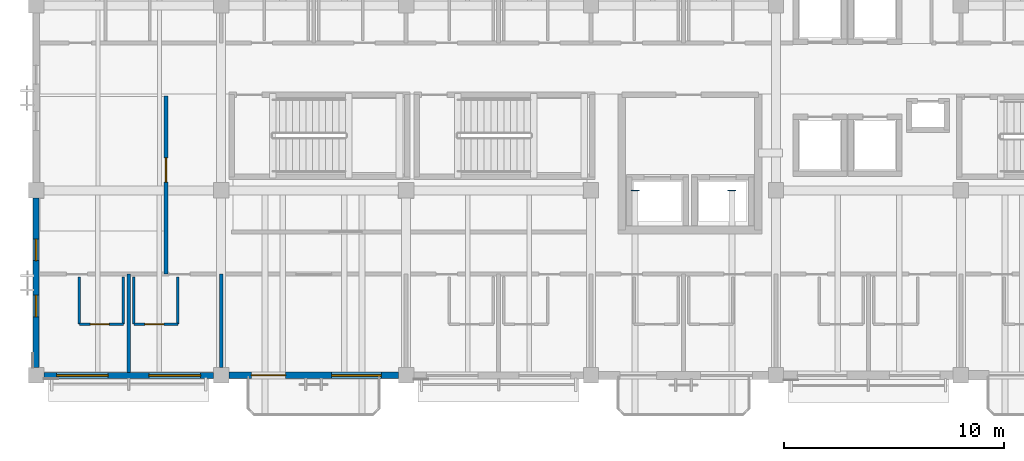
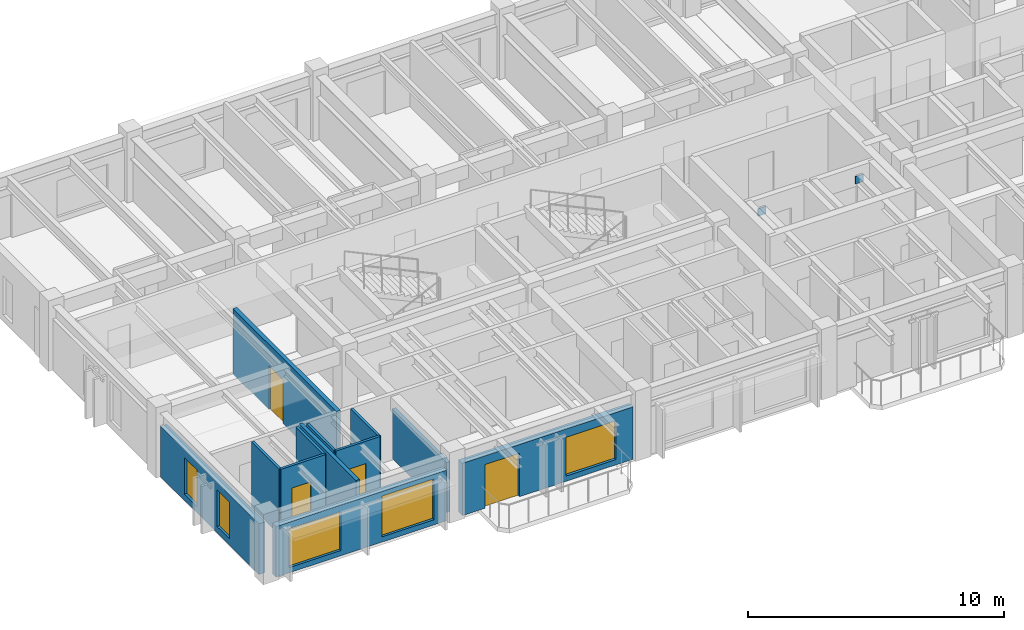
# One storey, part 5 of 18: 12 walls, 5 windows, 4 doors, 2 plates, 9 openings.
"""IFC4 building model written with IfcOpenShell, lengths in metres."""

from ifc_helpers import new_model, si_unit, direction, frame, frame_2d, origin, origin_2d, place, context, subcontext, project, spatial, rectangle, extrude, material, layer, layer_set, type_object, element, fill, save


model = new_model("IFC4")

# Units and contexts
model_context = context("Model", 3, precision=1e-05, world=origin(), true_north=direction((0.0, 1.0)))
body_context = subcontext(model_context, "Body", "Model", "MODEL_VIEW")
ifc_project = project(units=[si_unit("LENGTHUNIT", "METRE"), si_unit("AREAUNIT", "SQUARE_METRE"), si_unit("VOLUMEUNIT", "CUBIC_METRE"), si_unit("PLANEANGLEUNIT", "RADIAN"), si_unit("MASSUNIT", "GRAM", prefix="KILO")], contexts=[model_context])

# Site, building, storey
site_placement = place(None, origin())
site = spatial("IfcSite", under=ifc_project, at=site_placement, CompositionType="ELEMENT")
building_placement = place(site_placement, origin())
building = spatial("IfcBuilding", under=site, at=building_placement, Name="Cumbredor Promenade Congress Hotel", CompositionType="ELEMENT")
storey_placement = place(building_placement, frame((0.0, 0.0, 25.199951171875)))
storey = spatial("IfcBuildingStorey", under=building, at=storey_placement, Name="L07", CompositionType="ELEMENT", Elevation=25.199951171875)

# Plates
ifc_material_1 = material(Name="Steel ASTM A572 Grade 50", Category="steel")
ifc_layer_1 = layer(ifc_material_1, 0.028076171875, Name="Steel ASTM A572 Grade 50", Category="steel")
ifc_layer_set_1 = layer_set([ifc_layer_1], Name="Steel ASTM A572 Grade 50")
plate_type = type_object("IfcPlateType", Name="Space Frame Node Assembly ND-03", PredefinedType="USERDEFINED", material=ifc_layer_set_1)
for number, where, z_axis, x_axis, name in (
    (1, (27.199951171875, 100.800048828125, 2.70849609375), (0.0, 0.0, 1.0), (1.0, 0.0, 0.0), "L07 Outrigger Core Wall Embed Plate 050.1"),
    (2, (31.60009765625, 100.800048828125, 2.70849609375), (0.0, 0.0, 1.0), (1.0, 0.0, 0.0), "L07 Outrigger Core Wall Embed Plate 050.2"),
):
    element("IfcPlate", number, at=place(storey_placement, frame(where, z_axis=z_axis, x_axis=x_axis)), inside=storey, type_object=plate_type, Name=name, ObjectType="GUSSET PLATE", PredefinedType="USERDEFINED", context=body_context, shape_type="SweptSolid", body=[
        extrude(rectangle(XDim=0.360107421875, YDim=0.028076171875, at=origin_2d()), origin(), (0.0, 0.0, 1.0), 0.360107421875),
    ])

# Wall, opening, door
ifc_material_2 = material(Name="Moisture-resistant gypsum board on steel studs", Category="steel")
ifc_layer_2 = layer(ifc_material_2, 0.114990234375, Name="Moisture-resistant gypsum board on steel studs", Category="steel")
ifc_layer_set_2 = layer_set([ifc_layer_2], Name="Moisture-resistant gypsum board on steel studs")
wall_type_1 = type_object("IfcWallType", Name="WL-BATH-115", PredefinedType="PARTITIONING", material=ifc_layer_set_2)
wall_1_placement = place(storey_placement, frame((1.9599609375, 94.72998046875, 0.0), z_axis=(0.0, 0.0, 1.0), x_axis=(1.0, 0.0, 0.0)))
wall_1 = element("IfcWall", 3, at=wall_1_placement, inside=storey, type_object=wall_type_1, Name="L07 Interior Partition W-L07-BH-0771", PredefinedType="PARTITIONING", context=body_context, shape_type="SweptSolid", body=[
    extrude(rectangle(XDim=2.0, YDim=0.114990234375, at=frame_2d((1.0, 0.0))), origin(), (0.0, 0.0, 1.0), 3.1201171875),
])
opening_1_placement = place(wall_1_placement, frame((0.5, 0.0, 0.0)))
opening_1 = element("IfcOpeningElement", 4, at=opening_1_placement, cuts=wall_1, Name="Opening ID-01", PredefinedType="OPENING", context=body_context, shape_type="SweptSolid", body=[
    extrude(rectangle(XDim=0.860107421875, YDim=2.050048828125, at=frame_2d((0.43017578125, 1.02490234375))), frame((0.0, 0.0673828125, 0.0), z_axis=(0.0, -1.0, 0.0), x_axis=(1.0, 0.0, 0.0)), (0.0, 0.0, 1.0), 0.135009765625),
])
ifc_material_3 = material(Name="Kiln-dried tropical hardwood", Category="wood")
door_type_1 = type_object("IfcDoorType", Name="DR-BATH-860", OperationType="NOTDEFINED", PredefinedType="DOOR", material=ifc_material_3)
door_1_placement = place(opening_1_placement, origin())
door_1 = element("IfcDoor", 5, at=door_1_placement, inside=storey, type_object=door_type_1, Name="L07 Interior Door W-L07-BH-0771-01", OperationType="SINGLE_SWING_LEFT", OverallHeight=2.050048828125, OverallWidth=0.860107421875, PredefinedType="DOOR", context=body_context, shape_type="SweptSolid", body=[
    extrude(rectangle(XDim=0.860107421875, YDim=2.050048828125, at=frame_2d((0.43017578125, 1.02490234375))), frame((0.0, 0.02490234375, 0.0), z_axis=(0.0, -1.0, 0.0), x_axis=(1.0, 0.0, 0.0)), (0.0, 0.0, 1.0), 0.050048828125),
])
fill(opening_1, door_1)

# Walls
for number, where, z_axis, x_axis, name in (
    (6, (1.9599609375, 94.72998046875, 0.0), (0.0, 0.0, 1.0), (0.0, 1.0, 0.0), "L07 Interior Partition W-L07-BV1-0771"),
    (7, (3.9599609375, 94.72998046875, 0.0), (0.0, 0.0, 1.0), (0.0, 1.0, 0.0), "L07 Interior Partition W-L07-BV2-0771"),
):
    element("IfcWall", number, at=place(storey_placement, frame(where, z_axis=z_axis, x_axis=x_axis)), inside=storey, type_object=wall_type_1, Name=name, PredefinedType="PARTITIONING", context=body_context, shape_type="SweptSolid", body=[
        extrude(rectangle(XDim=2.14990234375, YDim=0.114990234375, at=frame_2d((1.074951171875, 0.0))), origin(), (0.0, 0.0, 1.0), 3.1201171875),
    ])

# Wall, opening, door
wall_2_placement = place(storey_placement, frame((4.43994140625, 94.72998046875, 0.0), z_axis=(0.0, 0.0, 1.0), x_axis=(1.0, 0.0, 0.0)))
wall_2 = element("IfcWall", 8, at=wall_2_placement, inside=storey, type_object=wall_type_1, Name="L07 Interior Partition W-L07-BH-0772", PredefinedType="PARTITIONING", context=body_context, shape_type="SweptSolid", body=[
    extrude(rectangle(XDim=2.0, YDim=0.114990234375, at=frame_2d((1.0, 0.0))), origin(), (0.0, 0.0, 1.0), 3.1201171875),
])
opening_2_placement = place(wall_2_placement, frame((0.5, 0.0, 0.0)))
opening_2 = element("IfcOpeningElement", 9, at=opening_2_placement, cuts=wall_2, Name="Opening ID-01", PredefinedType="OPENING", context=body_context, shape_type="SweptSolid", body=[
    extrude(rectangle(XDim=0.860107421875, YDim=2.050048828125, at=frame_2d((0.43017578125, 1.02490234375))), frame((0.0, 0.0673828125, 0.0), z_axis=(0.0, -1.0, 0.0), x_axis=(1.0, 0.0, 0.0)), (0.0, 0.0, 1.0), 0.135009765625),
])
door_2_placement = place(opening_2_placement, origin())
door_2 = element("IfcDoor", 10, at=door_2_placement, inside=storey, type_object=door_type_1, Name="L07 Interior Door W-L07-BH-0772-01", OperationType="SINGLE_SWING_RIGHT", OverallHeight=2.050048828125, OverallWidth=0.860107421875, PredefinedType="DOOR", context=body_context, shape_type="SweptSolid", body=[
    extrude(rectangle(XDim=0.860107421875, YDim=2.050048828125, at=frame_2d((0.43017578125, 1.02490234375))), frame((0.0, 0.02490234375, 0.0), z_axis=(0.0, -1.0, 0.0), x_axis=(1.0, 0.0, 0.0)), (0.0, 0.0, 1.0), 0.050048828125),
])
fill(opening_2, door_2)

# Walls
for number, where, z_axis, x_axis, name in (
    (11, (4.43994140625, 94.72998046875, 0.0), (0.0, 0.0, 1.0), (0.0, 1.0, 0.0), "L07 Interior Partition W-L07-BV1-0772"),
    (12, (6.43994140625, 94.72998046875, 0.0), (0.0, 0.0, 1.0), (0.0, 1.0, 0.0), "L07 Interior Partition W-L07-BV2-0772"),
):
    element("IfcWall", number, at=place(storey_placement, frame(where, z_axis=z_axis, x_axis=x_axis)), inside=storey, type_object=wall_type_1, Name=name, PredefinedType="PARTITIONING", context=body_context, shape_type="SweptSolid", body=[
        extrude(rectangle(XDim=2.14990234375, YDim=0.114990234375, at=frame_2d((1.074951171875, 0.0))), origin(), (0.0, 0.0, 1.0), 3.1201171875),
    ])

# Wall, opening, door
ifc_material_4 = material(Name="Fire-rated hotel corridor wall")
ifc_layer_3 = layer(ifc_material_4, 0.179931640625, Name="Fire-rated hotel corridor wall")
ifc_layer_set_3 = layer_set([ifc_layer_3], Name="Fire-rated hotel corridor wall")
wall_type_2 = type_object("IfcWallType", Name="WL-CORR-180", PredefinedType="PARTITIONING", material=ifc_layer_set_3)
wall_3_placement = place(storey_placement, frame((5.89990234375, 97.0, 0.0), z_axis=(0.0, 0.0, 1.0), x_axis=(0.0, 1.0, 0.0)))
wall_3 = element("IfcWall", 13, at=wall_3_placement, inside=storey, type_object=wall_type_2, Name="L07 Interior Partition W-L07-WTEA-E", PredefinedType="PARTITIONING", context=body_context, shape_type="SweptSolid", body=[
    extrude(rectangle(XDim=8.10009765625, YDim=0.179931640625, at=frame_2d((4.050048828125, 0.0))), origin(), (0.0, 0.0, 1.0), 3.1201171875),
])
opening_3_placement = place(wall_3_placement, frame((4.179931640625, 0.0, 0.0)))
opening_3 = element("IfcOpeningElement", 14, at=opening_3_placement, cuts=wall_3, Name="Opening FD-04", PredefinedType="OPENING", context=body_context, shape_type="SweptSolid", body=[
    extrude(rectangle(XDim=1.10009765625, YDim=2.10009765625, at=frame_2d((0.550048828125, 1.050048828125))), frame((0.0, 0.10009765625, 0.0), z_axis=(0.0, -1.0, 0.0), x_axis=(1.0, 0.0, 0.0)), (0.0, 0.0, 1.0), 0.199951171875),
])
ifc_material_5 = material(Name="Painted galvanized steel fire door", Category="steel")
door_type_2 = type_object("IfcDoorType", Name="DR-SGL-FD60-1100", OperationType="NOTDEFINED", PredefinedType="DOOR", material=ifc_material_5)
door_3_placement = place(opening_3_placement, origin())
door_3 = element("IfcDoor", 15, at=door_3_placement, inside=storey, type_object=door_type_2, Name="L07 Interior Door W-L07-WTEA-E-01", OperationType="SINGLE_SWING_LEFT", OverallHeight=2.10009765625, OverallWidth=1.10009765625, PredefinedType="DOOR", context=body_context, shape_type="SweptSolid", body=[
    extrude(rectangle(XDim=1.10009765625, YDim=2.10009765625, at=frame_2d((0.550048828125, 1.050048828125))), frame((0.0, 0.02490234375, 0.0), z_axis=(0.0, -1.0, 0.0), x_axis=(1.0, 0.0, 0.0)), (0.0, 0.0, 1.0), 0.050048828125),
])
fill(opening_3, door_3)

# Wall, openings, windows
ifc_material_6 = material(Name="Concrete C40/50", Category="concrete")
ifc_layer_4 = layer(ifc_material_6, 0.280029296875, Name="Concrete C40/50", Category="concrete")
ifc_layer_set_4 = layer_set([ifc_layer_4], Name="Concrete C40/50")
wall_type_3 = type_object("IfcWallType", Name="WL-EXT-280", PredefinedType="SOLIDWALL", material=ifc_layer_set_4)
wall_4_placement = place(storey_placement, frame((0.35107421875, 92.39990234375, 0.0), z_axis=(0.0, 0.0, 1.0), x_axis=(1.0, 0.0, 0.0)))
wall_4 = element("IfcWall", 16, at=wall_4_placement, inside=storey, type_object=wall_type_3, Name="L07 Stepped Congress Hotel Wing South Envelope Wall 1", PredefinedType="SOLIDWALL", context=body_context, shape_type="SweptSolid", body=[
    extrude(rectangle(XDim=7.697998046875, YDim=0.280029296875, at=frame_2d((3.84912109375, 0.0))), origin(), (0.0, 0.0, 1.0), 2.4140625),
])
opening_4_placement = place(wall_4_placement, frame((0.573974609375, 0.0, 0.25)))
opening_4 = element("IfcOpeningElement", 17, at=opening_4_placement, cuts=wall_4, Name="Opening WN-02", PredefinedType="OPENING", context=body_context, shape_type="SweptSolid", body=[
    extrude(rectangle(XDim=2.35009765625, YDim=1.85009765625, at=frame_2d((1.175048828125, 0.925048828125))), frame((0.0, 0.14990234375, 0.0), z_axis=(0.0, -1.0, 0.0), x_axis=(1.0, 0.0, 0.0)), (0.0, 0.0, 1.0), 0.300048828125),
])
opening_5_placement = place(wall_4_placement, frame((4.77392578125, 0.0, 0.25)))
opening_5 = element("IfcOpeningElement", 18, at=opening_5_placement, cuts=wall_4, Name="Opening WN-08", PredefinedType="OPENING", context=body_context, shape_type="SweptSolid", body=[
    extrude(rectangle(XDim=2.35009765625, YDim=1.949951171875, at=frame_2d((1.175048828125, 0.97509765625))), frame((0.0, 0.14990234375, 0.0), z_axis=(0.0, -1.0, 0.0), x_axis=(1.0, 0.0, 0.0)), (0.0, 0.0, 1.0), 0.300048828125),
])
ifc_material_7 = material(Name="Thermally broken anodized aluminium and low-E glass", Category="aluminium")
window_type_1 = type_object("IfcWindowType", Name="Hospitality Floor-to-Ceiling Window WN-02 2350x1850", PartitioningType="DOUBLE_PANEL_VERTICAL", PredefinedType="WINDOW", material=ifc_material_7)
window_1_placement = place(opening_4_placement, origin())
window_1 = element("IfcWindow", 19, at=window_1_placement, inside=storey, type_object=window_type_1, Name="L07 Wide Hospitality Window 0615", OverallHeight=1.85009765625, OverallWidth=2.35009765625, PartitioningType="DOUBLE_PANEL_VERTICAL", PredefinedType="WINDOW", context=body_context, shape_type="SweptSolid", body=[
    extrude(rectangle(XDim=2.35009765625, YDim=1.85009765625, at=frame_2d((1.175048828125, 0.925048828125))), frame((0.0, 0.030029296875, 0.0), z_axis=(0.0, -1.0, 0.0), x_axis=(1.0, 0.0, 0.0)), (0.0, 0.0, 1.0), 0.06005859375),
])
fill(opening_4, window_1)
window_type_2 = type_object("IfcWindowType", Name="Hospitality Floor-to-Ceiling Window WN-08 2350x1950", PartitioningType="DOUBLE_PANEL_VERTICAL", PredefinedType="WINDOW", material=ifc_material_7)
window_2_placement = place(opening_5_placement, origin())
window_2 = element("IfcWindow", 20, at=window_2_placement, inside=storey, type_object=window_type_2, Name="L07 Wide Hospitality Window 0616", OverallHeight=1.949951171875, OverallWidth=2.35009765625, PartitioningType="DOUBLE_PANEL_VERTICAL", PredefinedType="WINDOW", context=body_context, shape_type="SweptSolid", body=[
    extrude(rectangle(XDim=2.35009765625, YDim=1.949951171875, at=frame_2d((1.175048828125, 0.97509765625))), frame((0.0, 0.030029296875, 0.0), z_axis=(0.0, -1.0, 0.0), x_axis=(1.0, 0.0, 0.0)), (0.0, 0.0, 1.0), 0.06005859375),
])
fill(opening_5, window_2)

wall_5_placement = place(storey_placement, frame((0.0, 92.7509765625, 0.0), z_axis=(0.0, 0.0, 1.0), x_axis=(0.0, 1.0, 0.0)))
wall_5 = element("IfcWall", 21, at=wall_5_placement, inside=storey, type_object=wall_type_3, Name="L07 Stepped Congress Hotel Wing West Envelope Wall 1", PredefinedType="SOLIDWALL", context=body_context, shape_type="SweptSolid", body=[
    extrude(rectangle(XDim=7.697998046875, YDim=0.280029296875, at=frame_2d((3.84912109375, 0.0))), origin(), (0.0, 0.0, 1.0), 2.4140625),
])
opening_6_placement = place(wall_5_placement, frame((2.30908203125, 0.0, 0.300048828125)))
opening_6 = element("IfcOpeningElement", 22, at=opening_6_placement, cuts=wall_5, Name="Opening WN-64", PredefinedType="OPENING", context=body_context, shape_type="SweptSolid", body=[
    extrude(rectangle(XDim=0.97998046875, YDim=1.75, at=frame_2d((0.489990234375, 0.875))), frame((0.0, 0.14990234375, 0.0), z_axis=(0.0, -1.0, 0.0), x_axis=(1.0, 0.0, 0.0)), (0.0, 0.0, 1.0), 0.300048828125),
])
opening_7_placement = place(wall_5_placement, frame((4.85888671875, 0.0, 0.300048828125)))
opening_7 = element("IfcOpeningElement", 23, at=opening_7_placement, cuts=wall_5, Name="Opening WN-64", PredefinedType="OPENING", context=body_context, shape_type="SweptSolid", body=[
    extrude(rectangle(XDim=0.97998046875, YDim=1.75, at=frame_2d((0.489990234375, 0.875))), frame((0.0, 0.14990234375, 0.0), z_axis=(0.0, -1.0, 0.0), x_axis=(1.0, 0.0, 0.0)), (0.0, 0.0, 1.0), 0.300048828125),
])
window_type_3 = type_object("IfcWindowType", Name="Vertical Slot Window WN-64 980x1750", PartitioningType="SINGLE_PANEL", PredefinedType="WINDOW", material=ifc_material_7)
window_3_placement = place(opening_6_placement, origin())
window_3 = element("IfcWindow", 24, at=window_3_placement, inside=storey, type_object=window_type_3, Name="L07 Vertical Slot Window 0638", OverallHeight=1.75, OverallWidth=0.97998046875, PartitioningType="SINGLE_PANEL", PredefinedType="WINDOW", context=body_context, shape_type="SweptSolid", body=[
    extrude(rectangle(XDim=0.97998046875, YDim=1.75, at=frame_2d((0.489990234375, 0.875))), frame((0.0, 0.030029296875, 0.0), z_axis=(0.0, -1.0, 0.0), x_axis=(1.0, 0.0, 0.0)), (0.0, 0.0, 1.0), 0.06005859375),
])
fill(opening_6, window_3)
window_4_placement = place(opening_7_placement, origin())
window_4 = element("IfcWindow", 25, at=window_4_placement, inside=storey, type_object=window_type_3, Name="L07 Vertical Slot Window 0639", OverallHeight=1.75, OverallWidth=0.97998046875, PartitioningType="SINGLE_PANEL", PredefinedType="WINDOW", context=body_context, shape_type="SweptSolid", body=[
    extrude(rectangle(XDim=0.97998046875, YDim=1.75, at=frame_2d((0.489990234375, 0.875))), frame((0.0, 0.030029296875, 0.0), z_axis=(0.0, -1.0, 0.0), x_axis=(1.0, 0.0, 0.0)), (0.0, 0.0, 1.0), 0.06005859375),
])
fill(opening_7, window_4)

# Wall, openings, door, window
ifc_layer_5 = layer(ifc_material_6, 0.300048828125, Name="Concrete C40/50", Category="concrete")
ifc_layer_set_5 = layer_set([ifc_layer_5], Name="Concrete C40/50")
wall_type_4 = type_object("IfcWallType", Name="WL-EXT-300", PredefinedType="SOLIDWALL", material=ifc_layer_set_5)
wall_6_placement = place(storey_placement, frame((8.7509765625, 92.39990234375, 0.0), z_axis=(0.0, 0.0, 1.0), x_axis=(1.0, 0.0, 0.0)))
wall_6 = element("IfcWall", 26, at=wall_6_placement, inside=storey, type_object=wall_type_4, Name="L07 Stepped Congress Hotel Wing South Envelope Wall 2", PredefinedType="SOLIDWALL", context=body_context, shape_type="SweptSolid", body=[
    extrude(rectangle(XDim=7.697998046875, YDim=0.300048828125, at=frame_2d((3.84912109375, 0.0))), origin(), (0.0, 0.0, 1.0), 2.494140625),
])
opening_8_placement = place(wall_6_placement, frame((1.02392578125, 0.0, 0.0)))
opening_8 = element("IfcOpeningElement", 27, at=opening_8_placement, cuts=wall_6, Name="Opening TD-01", PredefinedType="OPENING", context=body_context, shape_type="SweptSolid", body=[
    extrude(rectangle(XDim=1.550048828125, YDim=2.080078125, at=frame_2d((0.77490234375, 1.0400390625))), frame((0.0, 0.16015625, 0.0), z_axis=(0.0, -1.0, 0.0), x_axis=(1.0, 0.0, 0.0)), (0.0, 0.0, 1.0), 0.320068359375),
])
opening_9_placement = place(wall_6_placement, frame((4.674072265625, 0.0, 0.25)))
opening_9 = element("IfcOpeningElement", 28, at=opening_9_placement, cuts=wall_6, Name="Opening WN-01", PredefinedType="OPENING", context=body_context, shape_type="SweptSolid", body=[
    extrude(rectangle(XDim=2.25, YDim=1.85009765625, at=frame_2d((1.125, 0.925048828125))), frame((0.0, 0.16015625, 0.0), z_axis=(0.0, -1.0, 0.0), x_axis=(1.0, 0.0, 0.0)), (0.0, 0.0, 1.0), 0.320068359375),
])
ifc_material_8 = material(Name="Thermally broken anodized aluminium and laminated safety glass", Category="aluminium")
door_type_3 = type_object("IfcDoorType", Name="EXT-DR-TER-1550x2080", OperationType="DOUBLE_DOOR_SINGLE_SWING", PredefinedType="DOOR", material=ifc_material_8)
door_4_placement = place(opening_8_placement, frame((1.550048828125, 0.0, 0.0), z_axis=(0.0, 0.0, 1.0), x_axis=(-1.0, 0.0, 0.0)))
door_4 = element("IfcDoor", 29, at=door_4_placement, inside=storey, type_object=door_type_3, Name="L07 Guestroom Veranda Balcony Door 075", OperationType="DOUBLE_DOOR_SINGLE_SWING", OverallHeight=2.080078125, OverallWidth=1.550048828125, PredefinedType="DOOR", context=body_context, shape_type="SweptSolid", body=[
    extrude(rectangle(XDim=1.550048828125, YDim=2.080078125, at=frame_2d((0.77490234375, 1.0400390625))), frame((0.0, 0.02490234375, 0.0), z_axis=(0.0, -1.0, 0.0), x_axis=(1.0, 0.0, 0.0)), (0.0, 0.0, 1.0), 0.050048828125),
])
fill(opening_8, door_4)
window_type_4 = type_object("IfcWindowType", Name="Hospitality Floor-to-Ceiling Window WN-01 2250x1850", PartitioningType="DOUBLE_PANEL_VERTICAL", PredefinedType="WINDOW", material=ifc_material_7)
window_5_placement = place(opening_9_placement, origin())
window_5 = element("IfcWindow", 30, at=window_5_placement, inside=storey, type_object=window_type_4, Name="L07 Veranda Companion Floor-to-Ceiling Window 0617", OverallHeight=1.85009765625, OverallWidth=2.25, PartitioningType="DOUBLE_PANEL_VERTICAL", PredefinedType="WINDOW", context=body_context, shape_type="SweptSolid", body=[
    extrude(rectangle(XDim=2.25, YDim=1.85009765625, at=frame_2d((1.125, 0.925048828125))), frame((0.0, 0.030029296875, 0.0), z_axis=(0.0, -1.0, 0.0), x_axis=(1.0, 0.0, 0.0)), (0.0, 0.0, 1.0), 0.06005859375),
])
fill(opening_9, window_5)

# Walls
ifc_material_9 = material(Name="Fire-rated acoustic double-stud partition")
ifc_layer_6 = layer(ifc_material_9, 0.1650390625, Name="Fire-rated acoustic double-stud partition")
ifc_layer_set_6 = layer_set([ifc_layer_6], Name="Fire-rated acoustic double-stud partition")
wall_type_5 = type_object("IfcWallType", Name="WL-UNIT-165", PredefinedType="PARTITIONING", material=ifc_layer_set_6)
wall_7_placement = place(storey_placement, frame((4.199951171875, 92.5400390625, 0.0), z_axis=(0.0, 0.0, 1.0), x_axis=(0.0, 1.0, 0.0)))
element("IfcWall", 31, at=wall_7_placement, inside=storey, type_object=wall_type_5, Name="L07 Interior Partition W-L07-SC-DIV-0-M", PredefinedType="PARTITIONING", context=body_context, shape_type="SweptSolid", body=[
    extrude(rectangle(XDim=4.4599609375, YDim=0.1650390625, at=frame_2d((2.22998046875, 0.0))), origin(), (0.0, 0.0, 1.0), 3.1201171875),
])
wall_8_placement = place(storey_placement, frame((8.39990234375, 92.75, 0.0), z_axis=(0.0, 0.0, 1.0), x_axis=(0.0, 1.0, 0.0)))
element("IfcWall", 32, at=wall_8_placement, inside=storey, type_object=wall_type_5, Name="L07 Interior Partition W-L07-SC-DIV-1-G", PredefinedType="PARTITIONING", context=body_context, shape_type="SweptSolid", body=[
    extrude(rectangle(XDim=4.25, YDim=0.1650390625, at=frame_2d((2.125, 0.0))), origin(), (0.0, 0.0, 1.0), 2.375),
])

save(model, "model.ifc")
